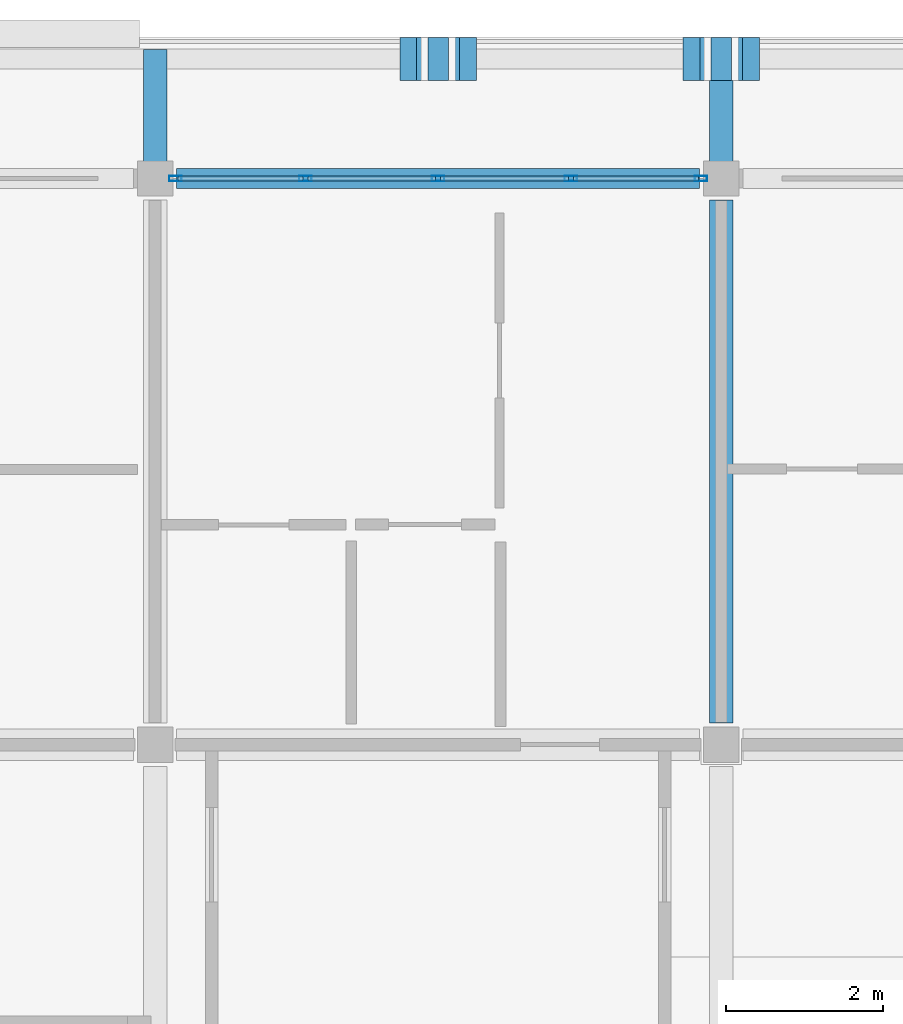
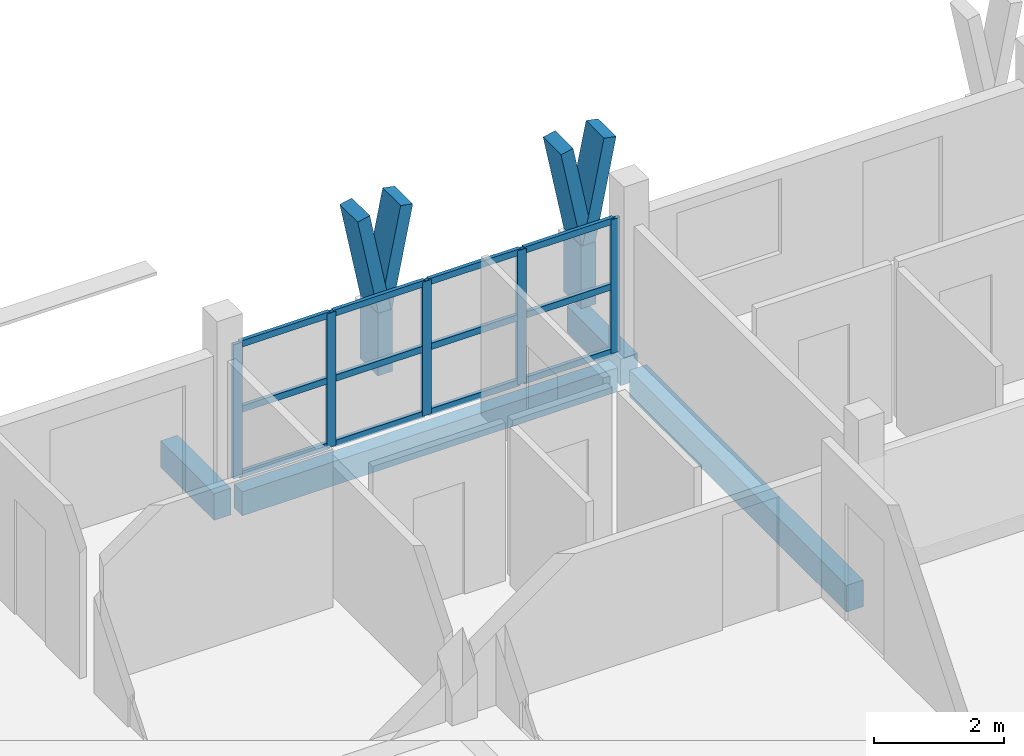
# One storey, part 25 of 56: 23 members, 4 beams, 1 element without a shape of its own.
"""IFC4 building model written with IfcOpenShell, lengths in metres."""

from ifc_helpers import new_model, si_unit, direction, frame, origin, origin_2d, place, context, subcontext, project, spatial, rectangle, hollow_rectangle, extrude, material, material_profile, profile_set, type_object, element, aggregate, save


model = new_model("IFC4")

# Units and contexts
model_context = context("Model", 3, precision=1e-05, world=origin(), true_north=direction((0.0, 1.0)))
body_context = subcontext(model_context, "Body", "Model", "MODEL_VIEW")
ifc_project = project(units=[si_unit("LENGTHUNIT", "METRE"), si_unit("AREAUNIT", "SQUARE_METRE"), si_unit("VOLUMEUNIT", "CUBIC_METRE"), si_unit("PLANEANGLEUNIT", "RADIAN"), si_unit("MASSUNIT", "GRAM", prefix="KILO")], contexts=[model_context])

# Site, building, storey
site_placement = place(None, origin())
site = spatial("IfcSite", under=ifc_project, at=site_placement, CompositionType="ELEMENT")
building_placement = place(site_placement, origin())
building = spatial("IfcBuilding", under=site, at=building_placement, Name="Suanplinth Sawtooth Commons", CompositionType="ELEMENT")
storey_placement = place(building_placement, frame((0.0, 0.0, 34.800048828125)))
storey = spatial("IfcBuildingStorey", under=building, at=storey_placement, Name="L10", CompositionType="ELEMENT", Elevation=34.800048828125)

# Beams
ifc_material_1 = material(Name="Precast concrete C40/50", Category="concrete")
ifc_material_profile_1 = material_profile(ifc_material_1, rectangle(XDim=0.300048828125, YDim=0.5, at=origin_2d()), Name="PC-BM 300x500")
ifc_profile_set_1 = profile_set([ifc_material_profile_1], Name="Precast concrete C40/50")
beam_type_1 = type_object("IfcBeamType", Name="B-07", PredefinedType="BEAM", material=ifc_profile_set_1)
beam_1_placement = place(storey_placement, frame((172.800048828125, 115.47509765625, -0.469970703125), z_axis=(0.0, 1.0, 0.0), x_axis=(-1.0, 0.0, 0.0)))
element("IfcBeam", 1, at=beam_1_placement, inside=storey, type_object=beam_type_1, Name="BMY-L10-B-24-16", PredefinedType="BEAM", context=body_context, shape_type="SweptSolid", body=[
    extrude(rectangle(XDim=0.300048828125, YDim=0.5, at=origin_2d()), origin(), (0.0, 0.0, 1.0), 6.64990234375),
])
for number, where, z_axis, x_axis, name in (
    (2, (165.60009765625, 122.39990234375, -0.429931640625), (0.0, 1.0, 0.0), (-1.0, 0.0, 0.0), "Balcony Outrigger L10-B-N-23"),
    (3, (172.800048828125, 122.39990234375, -0.429931640625), (0.0, 1.0, 0.0), (-1.0, 0.0, 0.0), "Balcony Outrigger L10-B-N-24"),
):
    element("IfcBeam", number, at=place(storey_placement, frame(where, z_axis=z_axis, x_axis=x_axis)), inside=storey, type_object=beam_type_1, Name=name, PredefinedType="BEAM", context=body_context, shape_type="SweptSolid", body=[
        extrude(rectangle(XDim=0.300048828125, YDim=0.5, at=origin_2d()), origin(), (0.0, 0.0, 1.0), 1.64013671875),
    ])
ifc_material_profile_2 = material_profile(ifc_material_1, rectangle(XDim=0.25, YDim=0.449951171875, at=origin_2d()), Name="PC-SP 250x450")
ifc_profile_set_2 = profile_set([ifc_material_profile_2], Name="Precast concrete C40/50")
beam_type_2 = type_object("IfcBeamType", Name="B-09", PredefinedType="SPANDREL", material=ifc_profile_set_2)
beam_2_placement = place(storey_placement, frame((165.875, 122.39990234375, -0.445068359375), z_axis=(1.0, 0.0, 0.0), x_axis=(0.0, 1.0, 0.0)))
element("IfcBeam", 4, at=beam_2_placement, inside=storey, type_object=beam_type_2, Name="BMX-L10-B-23-17", PredefinedType="SPANDREL", context=body_context, shape_type="SweptSolid", body=[
    extrude(rectangle(XDim=0.25, YDim=0.449951171875, at=origin_2d()), origin(), (0.0, 0.0, 1.0), 6.64990234375),
])

# Members
ifc_material_2 = material(Name="Pigmented precast concrete C40/50", Category="concrete")
ifc_material_profile_3 = material_profile(ifc_material_2, rectangle(XDim=0.260009765625, YDim=0.550048828125, at=origin_2d()), Name="PC-FIN 260x550")
ifc_profile_set_3 = profile_set([ifc_material_profile_3], Name="Pigmented precast concrete C40/50")
member_type_1 = type_object("IfcMemberType", Name="M-09", PredefinedType="USERDEFINED", material=ifc_profile_set_3)
for number, where, z_axis, x_axis, name in (
    (5, (169.199951171875, 123.919921875, 0.0), (0.0, 0.0, 1.0), (1.0, 0.0, 0.0), "Y-Blade Stem L10-B-N-05"),
    (6, (172.800048828125, 123.919921875, 0.0), (0.0, 0.0, 1.0), (1.0, 0.0, 0.0), "Y-Blade Stem L10-B-N-06"),
):
    element("IfcMember", number, at=place(storey_placement, frame(where, z_axis=z_axis, x_axis=x_axis)), inside=storey, type_object=member_type_1, Name=name, ObjectType="SHADING FIN", PredefinedType="USERDEFINED", context=body_context, shape_type="SweptSolid", body=[
        extrude(rectangle(XDim=0.260009765625, YDim=0.550048828125, at=origin_2d()), origin(), (0.0, 0.0, 1.0), 1.169921875),
    ])
ifc_material_profile_4 = material_profile(ifc_material_2, rectangle(XDim=0.219970703125, YDim=0.550048828125, at=origin_2d()), Name="PC-FIN 220x550")
ifc_profile_set_4 = profile_set([ifc_material_profile_4], Name="Pigmented precast concrete C40/50")
member_type_2 = type_object("IfcMemberType", Name="M-10", PredefinedType="USERDEFINED", material=ifc_profile_set_4)
member_1_placement = place(storey_placement, frame((169.199951171875, 123.919921875, 1.1298828125), z_axis=(-0.196285728346, 0.0, 0.980546741796), x_axis=(0.980546741796, 0.0, 0.196285728346)))
element("IfcMember", 7, at=member_1_placement, inside=storey, type_object=member_type_2, Name="Y-Blade Arm L L10-B-N-05", ObjectType="SHADING FIN", PredefinedType="USERDEFINED", context=body_context, shape_type="SweptSolid", body=[
    extrude(rectangle(XDim=0.219970703125, YDim=0.550048828125, at=origin_2d()), origin(), (0.0, 0.0, 1.0), 1.937744140625),
])
for number, where, z_axis, x_axis, name in (
    (8, (169.199951171875, 123.919921875, 1.1298828125), (0.196406855569, 0.0, 0.980522486782), (-0.980522486782, 0.0, 0.196406855569), "Y-Blade Arm R L10-B-N-05"),
    (9, (172.800048828125, 123.919921875, 1.1298828125), (-0.196406855569, 0.0, 0.980522486782), (0.980522486782, 0.0, 0.196406855569), "Y-Blade Arm L L10-B-N-06"),
):
    element("IfcMember", number, at=place(storey_placement, frame(where, z_axis=z_axis, x_axis=x_axis)), inside=storey, type_object=member_type_2, Name=name, ObjectType="SHADING FIN", PredefinedType="USERDEFINED", context=body_context, shape_type="SweptSolid", body=[
        extrude(rectangle(XDim=0.219970703125, YDim=0.550048828125, at=origin_2d()), origin(), (0.0, 0.0, 1.0), 1.93798828125),
    ])
member_2_placement = place(storey_placement, frame((172.800048828125, 123.919921875, 1.1298828125), z_axis=(0.196285728346, 0.0, 0.980546741796), x_axis=(-0.980546741796, 0.0, 0.196285728346)))
element("IfcMember", 10, at=member_2_placement, inside=storey, type_object=member_type_2, Name="Y-Blade Arm R L10-B-N-06", ObjectType="SHADING FIN", PredefinedType="USERDEFINED", context=body_context, shape_type="SweptSolid", body=[
    extrude(rectangle(XDim=0.219970703125, YDim=0.550048828125, at=origin_2d()), origin(), (0.0, 0.0, 1.0), 1.937744140625),
])

# Curtain wall, members
ifc_material_3 = material(Name="Anodized aluminium and low-E glazing", Category="aluminium")
curtain_wall_type = type_object("IfcCurtainWallType", Name="CW-06", PredefinedType="USERDEFINED", material=ifc_material_3)
curtain_wall_placement = place(storey_placement, origin())
curtain_wall = element("IfcCurtainWall", 11, at=curtain_wall_placement, inside=storey, type_object=curtain_wall_type, Name="Curtain Wall CW-L10-B-LOUNGE-23", ObjectType="CURTAIN WALL", PredefinedType="USERDEFINED")
ifc_material_4 = material(Name="Anodized aluminium 6063-T6", Category="aluminium")
ifc_material_profile_5 = material_profile(ifc_material_4, hollow_rectangle(XDim=0.06494140625, YDim=0.159912109375, WallThickness=0.00390625, at=origin_2d()), Name="ALU-MUL 65x160")
ifc_profile_set_5 = profile_set([ifc_material_profile_5], Name="Anodized aluminium 6063-T6")
member_type_3 = type_object("IfcMemberType", Name="M-13", PredefinedType="MULLION", material=ifc_profile_set_5)
member_3_placement = place(storey_placement, frame((165.857421875, 122.39990234375, 0.0), z_axis=(0.0, 0.0, 1.0), x_axis=(0.0, 1.0, 0.0)))
member_3 = element("IfcMember", 12, at=member_3_placement, type_object=member_type_3, Name="CW-06 mullion 1", PredefinedType="MULLION", context=body_context, shape_type="SweptSolid", body=[
    extrude(hollow_rectangle(XDim=0.06494140625, YDim=0.159912109375, WallThickness=0.00390625, at=origin_2d()), origin(), (0.0, 0.0, 1.0), 2.510009765625),
])
member_4_placement = place(storey_placement, frame((167.512451171875, 122.39990234375, 0.0), z_axis=(0.0, 0.0, 1.0), x_axis=(0.0, 1.0, 0.0)))
member_4 = element("IfcMember", 13, at=member_4_placement, type_object=member_type_3, Name="CW-06 mullion 2", PredefinedType="MULLION", context=body_context, shape_type="SweptSolid", body=[
    extrude(hollow_rectangle(XDim=0.06494140625, YDim=0.159912109375, WallThickness=0.00390625, at=origin_2d()), origin(), (0.0, 0.0, 1.0), 2.510009765625),
])
member_5_placement = place(storey_placement, frame((169.199951171875, 122.39990234375, 0.0), z_axis=(0.0, 0.0, 1.0), x_axis=(0.0, 1.0, 0.0)))
member_5 = element("IfcMember", 14, at=member_5_placement, type_object=member_type_3, Name="CW-06 mullion 3", PredefinedType="MULLION", context=body_context, shape_type="SweptSolid", body=[
    extrude(hollow_rectangle(XDim=0.06494140625, YDim=0.159912109375, WallThickness=0.00390625, at=origin_2d()), origin(), (0.0, 0.0, 1.0), 2.510009765625),
])
member_6_placement = place(storey_placement, frame((170.887451171875, 122.39990234375, 0.0), z_axis=(0.0, 0.0, 1.0), x_axis=(0.0, 1.0, 0.0)))
member_6 = element("IfcMember", 15, at=member_6_placement, type_object=member_type_3, Name="CW-06 mullion 4", PredefinedType="MULLION", context=body_context, shape_type="SweptSolid", body=[
    extrude(hollow_rectangle(XDim=0.06494140625, YDim=0.159912109375, WallThickness=0.00390625, at=origin_2d()), origin(), (0.0, 0.0, 1.0), 2.510009765625),
])
member_7_placement = place(storey_placement, frame((172.54248046875, 122.39990234375, 0.0), z_axis=(0.0, 0.0, 1.0), x_axis=(0.0, 1.0, 0.0)))
member_7 = element("IfcMember", 16, at=member_7_placement, type_object=member_type_3, Name="CW-06 mullion 5", PredefinedType="MULLION", context=body_context, shape_type="SweptSolid", body=[
    extrude(hollow_rectangle(XDim=0.06494140625, YDim=0.159912109375, WallThickness=0.00390625, at=origin_2d()), origin(), (0.0, 0.0, 1.0), 2.510009765625),
])
ifc_material_profile_6 = material_profile(ifc_material_4, hollow_rectangle(XDim=0.06494140625, YDim=0.1201171875, WallThickness=0.00390625, at=origin_2d()), Name="ALU-TRN 65x120")
ifc_profile_set_6 = profile_set([ifc_material_profile_6], Name="Anodized aluminium 6063-T6")
member_type_4 = type_object("IfcMemberType", Name="M-15", PredefinedType="USERDEFINED", material=ifc_profile_set_6)
member_8_placement = place(storey_placement, frame((165.889892578125, 122.39990234375, 0.032470703125), z_axis=(1.0, 0.0, 0.0), x_axis=(0.0, 1.0, 0.0)))
member_8 = element("IfcMember", 17, at=member_8_placement, type_object=member_type_4, Name="CW-06 transom 1.1", ObjectType="TRANSOM", PredefinedType="USERDEFINED", context=body_context, shape_type="SweptSolid", body=[
    extrude(hollow_rectangle(XDim=0.06494140625, YDim=0.1201171875, WallThickness=0.00390625, at=origin_2d()), origin(), (0.0, 0.0, 1.0), 1.590087890625),
])
member_9_placement = place(storey_placement, frame((165.889892578125, 122.39990234375, 1.2548828125), z_axis=(1.0, 0.0, 0.0), x_axis=(0.0, 1.0, 0.0)))
member_9 = element("IfcMember", 18, at=member_9_placement, type_object=member_type_4, Name="CW-06 transom 1.2", ObjectType="TRANSOM", PredefinedType="USERDEFINED", context=body_context, shape_type="SweptSolid", body=[
    extrude(hollow_rectangle(XDim=0.06494140625, YDim=0.1201171875, WallThickness=0.00390625, at=origin_2d()), origin(), (0.0, 0.0, 1.0), 1.590087890625),
])
member_10_placement = place(storey_placement, frame((165.889892578125, 122.39990234375, 2.4775390625), z_axis=(1.0, 0.0, 0.0), x_axis=(0.0, 1.0, 0.0)))
member_10 = element("IfcMember", 19, at=member_10_placement, type_object=member_type_4, Name="CW-06 transom 1.3", ObjectType="TRANSOM", PredefinedType="USERDEFINED", context=body_context, shape_type="SweptSolid", body=[
    extrude(hollow_rectangle(XDim=0.06494140625, YDim=0.1201171875, WallThickness=0.00390625, at=origin_2d()), origin(), (0.0, 0.0, 1.0), 1.590087890625),
])
member_11_placement = place(storey_placement, frame((167.544921875, 122.39990234375, 0.032470703125), z_axis=(1.0, 0.0, 0.0), x_axis=(0.0, 1.0, 0.0)))
member_11 = element("IfcMember", 20, at=member_11_placement, type_object=member_type_4, Name="CW-06 transom 2.1", ObjectType="TRANSOM", PredefinedType="USERDEFINED", context=body_context, shape_type="SweptSolid", body=[
    extrude(hollow_rectangle(XDim=0.06494140625, YDim=0.1201171875, WallThickness=0.00390625, at=origin_2d()), origin(), (0.0, 0.0, 1.0), 1.62255859375),
])
member_12_placement = place(storey_placement, frame((167.544921875, 122.39990234375, 1.2548828125), z_axis=(1.0, 0.0, 0.0), x_axis=(0.0, 1.0, 0.0)))
member_12 = element("IfcMember", 21, at=member_12_placement, type_object=member_type_4, Name="CW-06 transom 2.2", ObjectType="TRANSOM", PredefinedType="USERDEFINED", context=body_context, shape_type="SweptSolid", body=[
    extrude(hollow_rectangle(XDim=0.06494140625, YDim=0.1201171875, WallThickness=0.00390625, at=origin_2d()), origin(), (0.0, 0.0, 1.0), 1.62255859375),
])
member_13_placement = place(storey_placement, frame((167.544921875, 122.39990234375, 2.4775390625), z_axis=(1.0, 0.0, 0.0), x_axis=(0.0, 1.0, 0.0)))
member_13 = element("IfcMember", 22, at=member_13_placement, type_object=member_type_4, Name="CW-06 transom 2.3", ObjectType="TRANSOM", PredefinedType="USERDEFINED", context=body_context, shape_type="SweptSolid", body=[
    extrude(hollow_rectangle(XDim=0.06494140625, YDim=0.1201171875, WallThickness=0.00390625, at=origin_2d()), origin(), (0.0, 0.0, 1.0), 1.62255859375),
])
member_14_placement = place(storey_placement, frame((169.232421875, 122.39990234375, 0.032470703125), z_axis=(1.0, 0.0, 0.0), x_axis=(0.0, 1.0, 0.0)))
member_14 = element("IfcMember", 23, at=member_14_placement, type_object=member_type_4, Name="CW-06 transom 3.1", ObjectType="TRANSOM", PredefinedType="USERDEFINED", context=body_context, shape_type="SweptSolid", body=[
    extrude(hollow_rectangle(XDim=0.06494140625, YDim=0.1201171875, WallThickness=0.00390625, at=origin_2d()), origin(), (0.0, 0.0, 1.0), 1.62255859375),
])
member_15_placement = place(storey_placement, frame((169.232421875, 122.39990234375, 1.2548828125), z_axis=(1.0, 0.0, 0.0), x_axis=(0.0, 1.0, 0.0)))
member_15 = element("IfcMember", 24, at=member_15_placement, type_object=member_type_4, Name="CW-06 transom 3.2", ObjectType="TRANSOM", PredefinedType="USERDEFINED", context=body_context, shape_type="SweptSolid", body=[
    extrude(hollow_rectangle(XDim=0.06494140625, YDim=0.1201171875, WallThickness=0.00390625, at=origin_2d()), origin(), (0.0, 0.0, 1.0), 1.62255859375),
])
member_16_placement = place(storey_placement, frame((169.232421875, 122.39990234375, 2.4775390625), z_axis=(1.0, 0.0, 0.0), x_axis=(0.0, 1.0, 0.0)))
member_16 = element("IfcMember", 25, at=member_16_placement, type_object=member_type_4, Name="CW-06 transom 3.3", ObjectType="TRANSOM", PredefinedType="USERDEFINED", context=body_context, shape_type="SweptSolid", body=[
    extrude(hollow_rectangle(XDim=0.06494140625, YDim=0.1201171875, WallThickness=0.00390625, at=origin_2d()), origin(), (0.0, 0.0, 1.0), 1.62255859375),
])
member_17_placement = place(storey_placement, frame((170.919921875, 122.39990234375, 0.032470703125), z_axis=(1.0, 0.0, 0.0), x_axis=(0.0, 1.0, 0.0)))
member_17 = element("IfcMember", 26, at=member_17_placement, type_object=member_type_4, Name="CW-06 transom 4.1", ObjectType="TRANSOM", PredefinedType="USERDEFINED", context=body_context, shape_type="SweptSolid", body=[
    extrude(hollow_rectangle(XDim=0.06494140625, YDim=0.1201171875, WallThickness=0.00390625, at=origin_2d()), origin(), (0.0, 0.0, 1.0), 1.590087890625),
])
member_18_placement = place(storey_placement, frame((170.919921875, 122.39990234375, 1.2548828125), z_axis=(1.0, 0.0, 0.0), x_axis=(0.0, 1.0, 0.0)))
member_18 = element("IfcMember", 27, at=member_18_placement, type_object=member_type_4, Name="CW-06 transom 4.2", ObjectType="TRANSOM", PredefinedType="USERDEFINED", context=body_context, shape_type="SweptSolid", body=[
    extrude(hollow_rectangle(XDim=0.06494140625, YDim=0.1201171875, WallThickness=0.00390625, at=origin_2d()), origin(), (0.0, 0.0, 1.0), 1.590087890625),
])
member_19_placement = place(storey_placement, frame((170.919921875, 122.39990234375, 2.4775390625), z_axis=(1.0, 0.0, 0.0), x_axis=(0.0, 1.0, 0.0)))
member_19 = element("IfcMember", 28, at=member_19_placement, type_object=member_type_4, Name="CW-06 transom 4.3", ObjectType="TRANSOM", PredefinedType="USERDEFINED", context=body_context, shape_type="SweptSolid", body=[
    extrude(hollow_rectangle(XDim=0.06494140625, YDim=0.1201171875, WallThickness=0.00390625, at=origin_2d()), origin(), (0.0, 0.0, 1.0), 1.590087890625),
])
aggregate(curtain_wall, [member_3, member_4, member_5, member_6, member_7, member_8, member_9, member_10, member_11, member_12, member_13, member_14, member_15, member_16, member_17, member_18, member_19])

save(model, "model.ifc")
